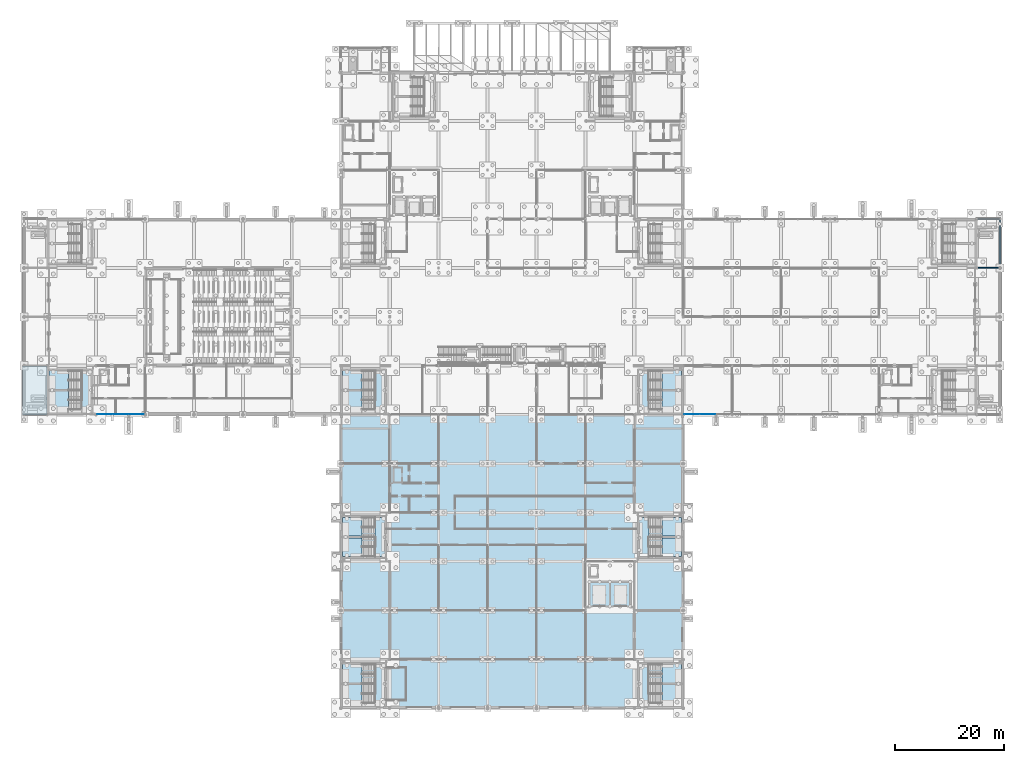
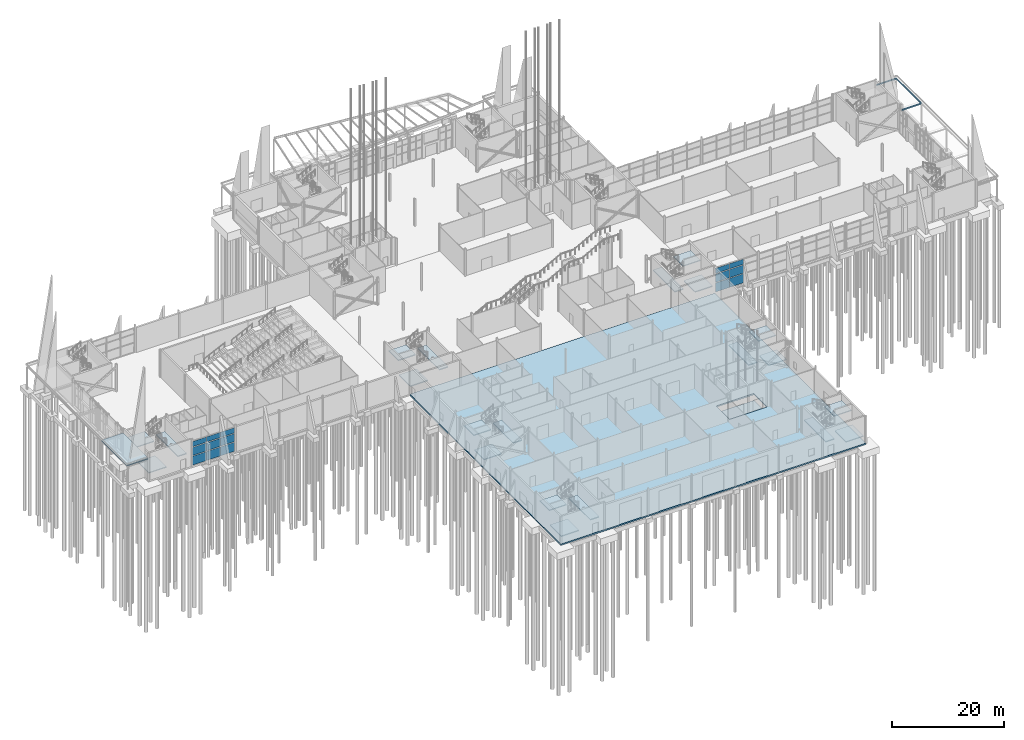
# One storey, part 90 of 139: 24 slabs, 15 plates, 3 beams, 9 elements without a shape of their own.
"""IFC4 building model written with IfcOpenShell, lengths in metres."""

from ifc_helpers import new_model, si_unit, direction, frame, origin, origin_2d, place, context, subcontext, project, spatial, polyline, rectangle, i_section, outline, extrude, material, layer, layer_set, material_profile, profile_set, type_object, element, aggregate, save


model = new_model("IFC4")

# Units and contexts
model_context = context("Model", 3, precision=1e-05, world=origin(), true_north=direction((0.0, 1.0)))
body_context = subcontext(model_context, "Body", "Model", "MODEL_VIEW")
ifc_project = project(units=[si_unit("LENGTHUNIT", "METRE"), si_unit("AREAUNIT", "SQUARE_METRE"), si_unit("VOLUMEUNIT", "CUBIC_METRE"), si_unit("PLANEANGLEUNIT", "RADIAN"), si_unit("MASSUNIT", "GRAM", prefix="KILO")], contexts=[model_context])

# Site, building, storey
site_placement = place(None, origin())
site = spatial("IfcSite", under=ifc_project, at=site_placement, CompositionType="ELEMENT")
building_placement = place(site_placement, origin())
building = spatial("IfcBuilding", under=site, at=building_placement, Name="Shorebreak Coast Museum", CompositionType="ELEMENT")
storey_placement = place(building_placement, origin())
storey = spatial("IfcBuildingStorey", under=building, at=storey_placement, Name="L00", CompositionType="ELEMENT", Elevation=0.0)

# Beams
ifc_material_1 = material(Name="Steel Grade 300", Category="steel")
ifc_material_profile_1 = material_profile(ifc_material_1, i_section(OverallWidth=0.14892578125, OverallDepth=0.298095703125, WebThickness=0.005615234375, FlangeThickness=0.008056640625, FilletRadius=0.012939453125, at=origin_2d()), Name="310UB32.0")
ifc_profile_set_1 = profile_set([ifc_material_profile_1], Name="Steel Grade 300")
beam_type_1 = type_object("IfcBeamType", Name="Arcade edge beam 310UB32.0", PredefinedType="BEAM", material=ifc_profile_set_1)
beam_placement = place(storey_placement, frame((175.25, 81.0, 4.65087890625), z_axis=(0.0, 1.0, 0.0), x_axis=(-1.0, 0.0, 0.0)))
element("IfcBeam", 1, at=beam_placement, inside=storey, type_object=beam_type_1, Name="Arcade edge beam east 4", PredefinedType="BEAM", context=body_context, shape_type="SweptSolid", body=[
    extrude(i_section(OverallWidth=0.14892578125, OverallDepth=0.298095703125, WebThickness=0.005615234375, FlangeThickness=0.008056640625, FilletRadius=0.012939453125, at=origin_2d()), origin(), (0.0, 0.0, 1.0), 9.074462890625),
])
ifc_material_2 = material(Name="Steel Grade 300", Category="steel")
ifc_material_profile_2 = material_profile(ifc_material_2, i_section(OverallWidth=0.14892578125, OverallDepth=0.298095703125, WebThickness=0.005615234375, FlangeThickness=0.008056640625, FilletRadius=0.012939453125, at=origin_2d()), Name="310UB32.0")
ifc_profile_set_2 = profile_set([ifc_material_profile_2], Name="Steel Grade 300")
beam_type_2 = type_object("IfcBeamType", Name="Arcade primary beam 310UB32.0", PredefinedType="BEAM", material=ifc_profile_set_2)
for number, where, z_axis, x_axis, name in (
    (2, (171.14990234375, 81.0, 4.65087890625), (1.0, 0.0, 0.0), (0.0, 1.0, 0.0), "Arcade primary beam east 4"),
    (3, (171.14990234375, 90.0, 4.65087890625), (1.0, 0.0, 0.0), (0.0, 1.0, 0.0), "Arcade primary beam east 5"),
):
    element("IfcBeam", number, at=place(storey_placement, frame(where, z_axis=z_axis, x_axis=x_axis)), inside=storey, type_object=beam_type_2, Name=name, PredefinedType="BEAM", context=body_context, shape_type="SweptSolid", body=[
        extrude(i_section(OverallWidth=0.14892578125, OverallDepth=0.298095703125, WebThickness=0.005615234375, FlangeThickness=0.008056640625, FilletRadius=0.012939453125, at=origin_2d()), origin(), (0.0, 0.0, 1.0), 4.025634765625),
    ])

# Slabs
ifc_material_3 = material(Name="Concrete N50 (50 MPa)", Category="concrete")
ifc_layer_1 = layer(ifc_material_3, 0.199951171875)
ifc_layer_set_1 = layer_set([ifc_layer_1], Name="Concrete N50 (50 MPa)")
slab_type_1 = type_object("IfcSlabType", Name="Arcade roof slab 200 concrete N50", PredefinedType="ROOF", material=ifc_layer_set_1)
slab_1_placement = place(storey_placement, frame((0.0, 0.0, 4.800048828125)))
element("IfcSlab", 4, at=slab_1_placement, inside=storey, type_object=slab_type_1, Name="Arcade roof slab west 1", PredefinedType="ROOF", context=body_context, shape_type="SweptSolid", body=[
    extrude(outline(polyline([(-4.5, 53.89990234375), (-4.5, 63.0), (-0.14990234375, 63.0), (-0.14990234375, 62.85009765625), (0.0, 62.85009765625), (0.0, 54.14990234375), (-0.14990234375, 54.14990234375), (-0.14990234375, 53.89990234375), (-4.5, 53.89990234375)])), origin(), (0.0, 0.0, 1.0), 0.199951171875),
])
ifc_material_4 = material(Name="Concrete N40 (40 MPa)", Category="concrete")
ifc_layer_2 = layer(ifc_material_4, 0.300048828125)
ifc_layer_set_2 = layer_set([ifc_layer_2], Name="Concrete N40 (40 MPa)")
slab_type_2 = type_object("IfcSlabType", Name="Base slab 300 concrete N40", PredefinedType="BASESLAB", material=ifc_layer_set_2)
slab_2_placement = place(storey_placement, frame((0.0, 0.0, -0.300048828125)))
element("IfcSlab", 5, at=slab_2_placement, inside=storey, type_object=slab_type_2, Name="Base slab L00 south arm", PredefinedType="BASESLAB", context=body_context, shape_type="SweptSolid", body=[
    extrude(outline(polyline([(54.0, 0.0), (117.0, 0.0), (117.0, 54.0), (54.0, 54.0), (54.0, 0.0)]), holes=[polyline([(107.39990234375, 23.39990234375), (107.39990234375, 18.60009765625), (99.60009765625, 18.60009765625), (99.60009765625, 23.39990234375), (107.39990234375, 23.39990234375)])]), origin(), (0.0, 0.0, 1.0), 0.300048828125),
])
ifc_material_5 = material(Name="Concrete N50 (50 MPa)", Category="concrete")
ifc_layer_3 = layer(ifc_material_5, 0.300048828125)
ifc_layer_set_3 = layer_set([ifc_layer_3], Name="Concrete N50 (50 MPa)")
slab_type_3 = type_object("IfcSlabType", Name="Lift pit slab 300", PredefinedType="BASESLAB", material=ifc_layer_set_3)
slab_3_placement = place(storey_placement, frame((0.0, 0.0, -1.800048828125)))
element("IfcSlab", 6, at=slab_3_placement, inside=storey, type_object=slab_type_3, Name="Lift pit slab LBG", PredefinedType="BASESLAB", context=body_context, shape_type="SweptSolid", body=[
    extrude(outline(polyline([(99.60009765625, 18.60009765625), (107.39990234375, 18.60009765625), (107.39990234375, 23.39990234375), (99.60009765625, 23.39990234375), (99.60009765625, 18.60009765625)])), origin(), (0.0, 0.0, 1.0), 0.300048828125),
])

# Stair, slabs
ifc_material_6 = material(Name="Concrete N40 (40 MPa)", Category="concrete")
stair_type = type_object("IfcStairType", Name="Stair run 6 m", PredefinedType="DOUBLE_RETURN_STAIR", material=ifc_material_6)
stair_1_placement = place(storey_placement, origin())
stair_1 = element("IfcStair", 7, at=stair_1_placement, inside=storey, type_object=stair_type, Name="Exit stair ST01-L00", PredefinedType="DOUBLE_RETURN_STAIR")
ifc_material_7 = material(Name="Concrete N40 (40 MPa)", Category="concrete")
ifc_layer_4 = layer(ifc_material_7, 0.199951171875)
ifc_layer_set_4 = layer_set([ifc_layer_4], Name="Concrete N40 (40 MPa)")
slab_type_4 = type_object("IfcSlabType", Name="Stair landing 200", PredefinedType="LANDING", material=ifc_layer_set_4)
slab_4_placement = place(storey_placement, frame((0.0, 0.0, 2.800048828125)))
slab_4 = element("IfcSlab", 8, at=slab_4_placement, type_object=slab_type_4, Name="ST01-L00 landing 1", PredefinedType="LANDING", context=body_context, shape_type="SweptSolid", body=[
    extrude(outline(polyline([(60.300048828125, 54.300048828125), (62.10009765625, 54.300048828125), (62.10009765625, 62.10009765625), (60.300048828125, 62.10009765625), (60.300048828125, 54.300048828125)])), origin(), (0.0, 0.0, 1.0), 0.199951171875),
])
slab_5_placement = place(storey_placement, frame((0.0, 0.0, 1.300048828125)))
slab_5 = element("IfcSlab", 9, at=slab_5_placement, type_object=slab_type_4, Name="ST01-L00 landing 2", PredefinedType="LANDING", context=body_context, shape_type="SweptSolid", body=[
    extrude(outline(polyline([(54.300048828125, 54.300048828125), (57.89990234375, 54.300048828125), (57.89990234375, 58.35009765625), (54.300048828125, 58.35009765625), (54.300048828125, 54.300048828125)])), origin(), (0.0, 0.0, 1.0), 0.199951171875),
])
slab_6_placement = place(storey_placement, frame((0.0, 0.0, 4.300048828125)))
slab_6 = element("IfcSlab", 10, at=slab_6_placement, type_object=slab_type_4, Name="ST01-L00 landing 3", PredefinedType="LANDING", context=body_context, shape_type="SweptSolid", body=[
    extrude(outline(polyline([(54.300048828125, 58.64990234375), (57.89990234375, 58.64990234375), (57.89990234375, 62.10009765625), (54.300048828125, 62.10009765625), (54.300048828125, 58.64990234375)])), origin(), (0.0, 0.0, 1.0), 0.199951171875),
])
aggregate(stair_1, [slab_4, slab_5, slab_6])

stair_2_placement = place(storey_placement, origin())
stair_2 = element("IfcStair", 11, at=stair_2_placement, inside=storey, type_object=stair_type, Name="Exit stair ST02-L00", PredefinedType="DOUBLE_RETURN_STAIR")
slab_7_placement = place(storey_placement, frame((0.0, 0.0, 2.800048828125)))
slab_7 = element("IfcSlab", 12, at=slab_7_placement, type_object=slab_type_4, Name="ST02-L00 landing 1", PredefinedType="LANDING", context=body_context, shape_type="SweptSolid", body=[
    extrude(outline(polyline([(108.89990234375, 54.300048828125), (110.699951171875, 54.300048828125), (110.699951171875, 62.10009765625), (108.89990234375, 62.10009765625), (108.89990234375, 54.300048828125)])), origin(), (0.0, 0.0, 1.0), 0.199951171875),
])
slab_8_placement = place(storey_placement, frame((0.0, 0.0, 1.300048828125)))
slab_8 = element("IfcSlab", 13, at=slab_8_placement, type_object=slab_type_4, Name="ST02-L00 landing 2", PredefinedType="LANDING", context=body_context, shape_type="SweptSolid", body=[
    extrude(outline(polyline([(113.10009765625, 54.300048828125), (116.699951171875, 54.300048828125), (116.699951171875, 58.35009765625), (113.10009765625, 58.35009765625), (113.10009765625, 54.300048828125)])), origin(), (0.0, 0.0, 1.0), 0.199951171875),
])
slab_9_placement = place(storey_placement, frame((0.0, 0.0, 4.300048828125)))
slab_9 = element("IfcSlab", 14, at=slab_9_placement, type_object=slab_type_4, Name="ST02-L00 landing 3", PredefinedType="LANDING", context=body_context, shape_type="SweptSolid", body=[
    extrude(outline(polyline([(113.10009765625, 58.64990234375), (116.699951171875, 58.64990234375), (116.699951171875, 62.10009765625), (113.10009765625, 62.10009765625), (113.10009765625, 58.64990234375)])), origin(), (0.0, 0.0, 1.0), 0.199951171875),
])
aggregate(stair_2, [slab_7, slab_8, slab_9])

stair_3_placement = place(storey_placement, origin())
stair_3 = element("IfcStair", 15, at=stair_3_placement, inside=storey, type_object=stair_type, Name="Exit stair ST05-L00", PredefinedType="DOUBLE_RETURN_STAIR")
slab_10_placement = place(storey_placement, frame((0.0, 0.0, 2.800048828125)))
slab_10 = element("IfcSlab", 16, at=slab_10_placement, type_object=slab_type_4, Name="ST05-L00 landing 1", PredefinedType="LANDING", context=body_context, shape_type="SweptSolid", body=[
    extrude(outline(polyline([(6.300048828125, 54.300048828125), (8.10009765625, 54.300048828125), (8.10009765625, 62.10009765625), (6.300048828125, 62.10009765625), (6.300048828125, 54.300048828125)])), origin(), (0.0, 0.0, 1.0), 0.199951171875),
])
slab_11_placement = place(storey_placement, frame((0.0, 0.0, 1.300048828125)))
slab_11 = element("IfcSlab", 17, at=slab_11_placement, type_object=slab_type_4, Name="ST05-L00 landing 2", PredefinedType="LANDING", context=body_context, shape_type="SweptSolid", body=[
    extrude(outline(polyline([(0.300048828125, 54.300048828125), (3.89990234375, 54.300048828125), (3.89990234375, 58.35009765625), (0.300048828125, 58.35009765625), (0.300048828125, 54.300048828125)])), origin(), (0.0, 0.0, 1.0), 0.199951171875),
])
slab_12_placement = place(storey_placement, frame((0.0, 0.0, 4.300048828125)))
slab_12 = element("IfcSlab", 18, at=slab_12_placement, type_object=slab_type_4, Name="ST05-L00 landing 3", PredefinedType="LANDING", context=body_context, shape_type="SweptSolid", body=[
    extrude(outline(polyline([(0.300048828125, 58.64990234375), (3.89990234375, 58.64990234375), (3.89990234375, 62.10009765625), (0.300048828125, 62.10009765625), (0.300048828125, 58.64990234375)])), origin(), (0.0, 0.0, 1.0), 0.199951171875),
])
aggregate(stair_3, [slab_10, slab_11, slab_12])

stair_4_placement = place(storey_placement, origin())
stair_4 = element("IfcStair", 19, at=stair_4_placement, inside=storey, type_object=stair_type, Name="Exit stair ST11-L00", PredefinedType="DOUBLE_RETURN_STAIR")
slab_13_placement = place(storey_placement, frame((0.0, 0.0, 2.800048828125)))
slab_13 = element("IfcSlab", 20, at=slab_13_placement, type_object=slab_type_4, Name="ST11-L00 landing 1", PredefinedType="LANDING", context=body_context, shape_type="SweptSolid", body=[
    extrude(outline(polyline([(60.300048828125, 0.300048828125), (62.10009765625, 0.300048828125), (62.10009765625, 8.10009765625), (60.300048828125, 8.10009765625), (60.300048828125, 0.300048828125)])), origin(), (0.0, 0.0, 1.0), 0.199951171875),
])
slab_14_placement = place(storey_placement, frame((0.0, 0.0, 1.300048828125)))
slab_14 = element("IfcSlab", 21, at=slab_14_placement, type_object=slab_type_4, Name="ST11-L00 landing 2", PredefinedType="LANDING", context=body_context, shape_type="SweptSolid", body=[
    extrude(outline(polyline([(54.300048828125, 0.300048828125), (57.89990234375, 0.300048828125), (57.89990234375, 4.35009765625), (54.300048828125, 4.35009765625), (54.300048828125, 0.300048828125)])), origin(), (0.0, 0.0, 1.0), 0.199951171875),
])
slab_15_placement = place(storey_placement, frame((0.0, 0.0, 4.300048828125)))
slab_15 = element("IfcSlab", 22, at=slab_15_placement, type_object=slab_type_4, Name="ST11-L00 landing 3", PredefinedType="LANDING", context=body_context, shape_type="SweptSolid", body=[
    extrude(outline(polyline([(54.300048828125, 4.64990234375), (57.89990234375, 4.64990234375), (57.89990234375, 8.10009765625), (54.300048828125, 8.10009765625), (54.300048828125, 4.64990234375)])), origin(), (0.0, 0.0, 1.0), 0.199951171875),
])
aggregate(stair_4, [slab_13, slab_14, slab_15])

stair_5_placement = place(storey_placement, origin())
stair_5 = element("IfcStair", 23, at=stair_5_placement, inside=storey, type_object=stair_type, Name="Exit stair ST12-L00", PredefinedType="DOUBLE_RETURN_STAIR")
slab_16_placement = place(storey_placement, frame((0.0, 0.0, 2.800048828125)))
slab_16 = element("IfcSlab", 24, at=slab_16_placement, type_object=slab_type_4, Name="ST12-L00 landing 1", PredefinedType="LANDING", context=body_context, shape_type="SweptSolid", body=[
    extrude(outline(polyline([(108.89990234375, 0.300048828125), (110.699951171875, 0.300048828125), (110.699951171875, 8.10009765625), (108.89990234375, 8.10009765625), (108.89990234375, 0.300048828125)])), origin(), (0.0, 0.0, 1.0), 0.199951171875),
])
slab_17_placement = place(storey_placement, frame((0.0, 0.0, 1.300048828125)))
slab_17 = element("IfcSlab", 25, at=slab_17_placement, type_object=slab_type_4, Name="ST12-L00 landing 2", PredefinedType="LANDING", context=body_context, shape_type="SweptSolid", body=[
    extrude(outline(polyline([(113.10009765625, 0.300048828125), (116.699951171875, 0.300048828125), (116.699951171875, 4.35009765625), (113.10009765625, 4.35009765625), (113.10009765625, 0.300048828125)])), origin(), (0.0, 0.0, 1.0), 0.199951171875),
])
slab_18_placement = place(storey_placement, frame((0.0, 0.0, 4.300048828125)))
slab_18 = element("IfcSlab", 26, at=slab_18_placement, type_object=slab_type_4, Name="ST12-L00 landing 3", PredefinedType="LANDING", context=body_context, shape_type="SweptSolid", body=[
    extrude(outline(polyline([(113.10009765625, 4.64990234375), (116.699951171875, 4.64990234375), (116.699951171875, 8.10009765625), (113.10009765625, 8.10009765625), (113.10009765625, 4.64990234375)])), origin(), (0.0, 0.0, 1.0), 0.199951171875),
])
aggregate(stair_5, [slab_16, slab_17, slab_18])

stair_6_placement = place(storey_placement, origin())
stair_6 = element("IfcStair", 27, at=stair_6_placement, inside=storey, type_object=stair_type, Name="Exit stair ST13-L00", PredefinedType="DOUBLE_RETURN_STAIR")
slab_19_placement = place(storey_placement, frame((0.0, 0.0, 2.800048828125)))
slab_19 = element("IfcSlab", 28, at=slab_19_placement, type_object=slab_type_4, Name="ST13-L00 landing 1", PredefinedType="LANDING", context=body_context, shape_type="SweptSolid", body=[
    extrude(outline(polyline([(60.300048828125, 27.89990234375), (62.10009765625, 27.89990234375), (62.10009765625, 35.10009765625), (60.300048828125, 35.10009765625), (60.300048828125, 27.89990234375)])), origin(), (0.0, 0.0, 1.0), 0.199951171875),
])
slab_20_placement = place(storey_placement, frame((0.0, 0.0, 1.300048828125)))
slab_20 = element("IfcSlab", 29, at=slab_20_placement, type_object=slab_type_4, Name="ST13-L00 landing 2", PredefinedType="LANDING", context=body_context, shape_type="SweptSolid", body=[
    extrude(outline(polyline([(54.300048828125, 27.89990234375), (57.89990234375, 27.89990234375), (57.89990234375, 31.35009765625), (54.300048828125, 31.35009765625), (54.300048828125, 27.89990234375)])), origin(), (0.0, 0.0, 1.0), 0.199951171875),
])
slab_21_placement = place(storey_placement, frame((0.0, 0.0, 4.300048828125)))
slab_21 = element("IfcSlab", 30, at=slab_21_placement, type_object=slab_type_4, Name="ST13-L00 landing 3", PredefinedType="LANDING", context=body_context, shape_type="SweptSolid", body=[
    extrude(outline(polyline([(54.300048828125, 31.64990234375), (57.89990234375, 31.64990234375), (57.89990234375, 35.10009765625), (54.300048828125, 35.10009765625), (54.300048828125, 31.64990234375)])), origin(), (0.0, 0.0, 1.0), 0.199951171875),
])
aggregate(stair_6, [slab_19, slab_20, slab_21])

stair_7_placement = place(storey_placement, origin())
stair_7 = element("IfcStair", 31, at=stair_7_placement, inside=storey, type_object=stair_type, Name="Exit stair ST14-L00", PredefinedType="DOUBLE_RETURN_STAIR")
slab_22_placement = place(storey_placement, frame((0.0, 0.0, 2.800048828125)))
slab_22 = element("IfcSlab", 32, at=slab_22_placement, type_object=slab_type_4, Name="ST14-L00 landing 1", PredefinedType="LANDING", context=body_context, shape_type="SweptSolid", body=[
    extrude(outline(polyline([(108.89990234375, 27.89990234375), (110.699951171875, 27.89990234375), (110.699951171875, 35.10009765625), (108.89990234375, 35.10009765625), (108.89990234375, 27.89990234375)])), origin(), (0.0, 0.0, 1.0), 0.199951171875),
])
slab_23_placement = place(storey_placement, frame((0.0, 0.0, 1.300048828125)))
slab_23 = element("IfcSlab", 33, at=slab_23_placement, type_object=slab_type_4, Name="ST14-L00 landing 2", PredefinedType="LANDING", context=body_context, shape_type="SweptSolid", body=[
    extrude(outline(polyline([(113.10009765625, 27.89990234375), (116.699951171875, 27.89990234375), (116.699951171875, 31.35009765625), (113.10009765625, 31.35009765625), (113.10009765625, 27.89990234375)])), origin(), (0.0, 0.0, 1.0), 0.199951171875),
])
slab_24_placement = place(storey_placement, frame((0.0, 0.0, 4.300048828125)))
slab_24 = element("IfcSlab", 34, at=slab_24_placement, type_object=slab_type_4, Name="ST14-L00 landing 3", PredefinedType="LANDING", context=body_context, shape_type="SweptSolid", body=[
    extrude(outline(polyline([(113.10009765625, 31.64990234375), (116.699951171875, 31.64990234375), (116.699951171875, 35.10009765625), (113.10009765625, 35.10009765625), (113.10009765625, 31.64990234375)])), origin(), (0.0, 0.0, 1.0), 0.199951171875),
])
aggregate(stair_7, [slab_22, slab_23, slab_24])

# Curtain wall, plates
ifc_material_8 = material(Name="Aluminium", Category="aluminium")
ifc_layer_5 = layer(ifc_material_8, 0.14990234375)
ifc_layer_set_5 = layer_set([ifc_layer_5], Name="Aluminium")
curtain_wall_type = type_object("IfcCurtainWallType", Name="Storefront curtain wall", PredefinedType="NOTDEFINED", material=ifc_layer_set_5)
curtain_wall_1_placement = place(storey_placement, origin())
curtain_wall_1 = element("IfcCurtainWall", 35, at=curtain_wall_1_placement, inside=storey, type_object=curtain_wall_type, Name="Storefront L00 S 7", PredefinedType="NOTDEFINED")
ifc_material_9 = material(Name="Glass", Category="glass")
ifc_layer_6 = layer(ifc_material_9, 0.031982421875)
ifc_layer_set_6 = layer_set([ifc_layer_6], Name="Glass")
plate_type = type_object("IfcPlateType", Name="Storefront glass panel 32", PredefinedType="CURTAIN_PANEL", material=ifc_layer_set_6)
plate_1_placement = place(storey_placement, frame((10.612548828125, 54.074951171875, 0.14990234375), z_axis=(0.0, 0.0, 1.0), x_axis=(1.0, 0.0, 0.0)))
plate_1 = element("IfcPlate", 36, at=plate_1_placement, type_object=plate_type, Name="CW8 panel 1.1", PredefinedType="CURTAIN_PANEL", context=body_context, shape_type="SweptSolid", body=[
    extrude(rectangle(XDim=2.824951171875, YDim=0.031982421875, at=origin_2d()), origin(), (0.0, 0.0, 1.0), 1.962890625),
])
plate_2_placement = place(storey_placement, frame((10.612548828125, 54.074951171875, 2.262939453125), z_axis=(0.0, 0.0, 1.0), x_axis=(1.0, 0.0, 0.0)))
plate_2 = element("IfcPlate", 37, at=plate_2_placement, type_object=plate_type, Name="CW8 panel 1.2", PredefinedType="CURTAIN_PANEL", context=body_context, shape_type="SweptSolid", body=[
    extrude(rectangle(XDim=2.824951171875, YDim=0.031982421875, at=origin_2d()), origin(), (0.0, 0.0, 1.0), 1.76416015625),
])
plate_3_placement = place(storey_placement, frame((10.612548828125, 54.074951171875, 4.17724609375), z_axis=(0.0, 0.0, 1.0), x_axis=(1.0, 0.0, 0.0)))
plate_3 = element("IfcPlate", 38, at=plate_3_placement, type_object=plate_type, Name="CW8 panel 1.3", PredefinedType="CURTAIN_PANEL", context=body_context, shape_type="SweptSolid", body=[
    extrude(rectangle(XDim=2.824951171875, YDim=0.031982421875, at=origin_2d()), origin(), (0.0, 0.0, 1.0), 1.142333984375),
])
plate_4_placement = place(storey_placement, frame((13.5, 54.074951171875, 0.14990234375), z_axis=(0.0, 0.0, 1.0), x_axis=(1.0, 0.0, 0.0)))
plate_4 = element("IfcPlate", 39, at=plate_4_placement, type_object=plate_type, Name="CW8 panel 2.1", PredefinedType="CURTAIN_PANEL", context=body_context, shape_type="SweptSolid", body=[
    extrude(rectangle(XDim=2.85009765625, YDim=0.031982421875, at=origin_2d()), origin(), (0.0, 0.0, 1.0), 1.962890625),
])
plate_5_placement = place(storey_placement, frame((13.5, 54.074951171875, 2.262939453125), z_axis=(0.0, 0.0, 1.0), x_axis=(1.0, 0.0, 0.0)))
plate_5 = element("IfcPlate", 40, at=plate_5_placement, type_object=plate_type, Name="CW8 panel 2.2", PredefinedType="CURTAIN_PANEL", context=body_context, shape_type="SweptSolid", body=[
    extrude(rectangle(XDim=2.85009765625, YDim=0.031982421875, at=origin_2d()), origin(), (0.0, 0.0, 1.0), 1.76416015625),
])
plate_6_placement = place(storey_placement, frame((13.5, 54.074951171875, 4.17724609375), z_axis=(0.0, 0.0, 1.0), x_axis=(1.0, 0.0, 0.0)))
plate_6 = element("IfcPlate", 41, at=plate_6_placement, type_object=plate_type, Name="CW8 panel 2.3", PredefinedType="CURTAIN_PANEL", context=body_context, shape_type="SweptSolid", body=[
    extrude(rectangle(XDim=2.85009765625, YDim=0.031982421875, at=origin_2d()), origin(), (0.0, 0.0, 1.0), 1.142333984375),
])
plate_7_placement = place(storey_placement, frame((16.387451171875, 54.074951171875, 0.14990234375), z_axis=(0.0, 0.0, 1.0), x_axis=(1.0, 0.0, 0.0)))
plate_7 = element("IfcPlate", 42, at=plate_7_placement, type_object=plate_type, Name="CW8 panel 3.1", PredefinedType="CURTAIN_PANEL", context=body_context, shape_type="SweptSolid", body=[
    extrude(rectangle(XDim=2.824951171875, YDim=0.031982421875, at=origin_2d()), origin(), (0.0, 0.0, 1.0), 1.962890625),
])
plate_8_placement = place(storey_placement, frame((16.387451171875, 54.074951171875, 2.262939453125), z_axis=(0.0, 0.0, 1.0), x_axis=(1.0, 0.0, 0.0)))
plate_8 = element("IfcPlate", 43, at=plate_8_placement, type_object=plate_type, Name="CW8 panel 3.2", PredefinedType="CURTAIN_PANEL", context=body_context, shape_type="SweptSolid", body=[
    extrude(rectangle(XDim=2.824951171875, YDim=0.031982421875, at=origin_2d()), origin(), (0.0, 0.0, 1.0), 1.76416015625),
])
plate_9_placement = place(storey_placement, frame((16.387451171875, 54.074951171875, 4.17724609375), z_axis=(0.0, 0.0, 1.0), x_axis=(1.0, 0.0, 0.0)))
plate_9 = element("IfcPlate", 44, at=plate_9_placement, type_object=plate_type, Name="CW8 panel 3.3", PredefinedType="CURTAIN_PANEL", context=body_context, shape_type="SweptSolid", body=[
    extrude(rectangle(XDim=2.824951171875, YDim=0.031982421875, at=origin_2d()), origin(), (0.0, 0.0, 1.0), 1.142333984375),
])
aggregate(curtain_wall_1, [plate_1, plate_2, plate_3, plate_4, plate_5, plate_6, plate_7, plate_8, plate_9])

curtain_wall_2_placement = place(storey_placement, origin())
curtain_wall_2 = element("IfcCurtainWall", 45, at=curtain_wall_2_placement, inside=storey, type_object=curtain_wall_type, Name="Storefront L00 S 8", PredefinedType="NOTDEFINED")
plate_10_placement = place(storey_placement, frame((118.612548828125, 54.074951171875, 0.14990234375), z_axis=(0.0, 0.0, 1.0), x_axis=(1.0, 0.0, 0.0)))
plate_10 = element("IfcPlate", 46, at=plate_10_placement, type_object=plate_type, Name="CW8 panel 1.1", PredefinedType="CURTAIN_PANEL", context=body_context, shape_type="SweptSolid", body=[
    extrude(rectangle(XDim=2.824951171875, YDim=0.031982421875, at=origin_2d()), origin(), (0.0, 0.0, 1.0), 1.962890625),
])
plate_11_placement = place(storey_placement, frame((118.612548828125, 54.074951171875, 2.262939453125), z_axis=(0.0, 0.0, 1.0), x_axis=(1.0, 0.0, 0.0)))
plate_11 = element("IfcPlate", 47, at=plate_11_placement, type_object=plate_type, Name="CW8 panel 1.2", PredefinedType="CURTAIN_PANEL", context=body_context, shape_type="SweptSolid", body=[
    extrude(rectangle(XDim=2.824951171875, YDim=0.031982421875, at=origin_2d()), origin(), (0.0, 0.0, 1.0), 1.76416015625),
])
plate_12_placement = place(storey_placement, frame((118.612548828125, 54.074951171875, 4.17724609375), z_axis=(0.0, 0.0, 1.0), x_axis=(1.0, 0.0, 0.0)))
plate_12 = element("IfcPlate", 48, at=plate_12_placement, type_object=plate_type, Name="CW8 panel 1.3", PredefinedType="CURTAIN_PANEL", context=body_context, shape_type="SweptSolid", body=[
    extrude(rectangle(XDim=2.824951171875, YDim=0.031982421875, at=origin_2d()), origin(), (0.0, 0.0, 1.0), 1.142333984375),
])
plate_13_placement = place(storey_placement, frame((121.5, 54.074951171875, 0.14990234375), z_axis=(0.0, 0.0, 1.0), x_axis=(1.0, 0.0, 0.0)))
plate_13 = element("IfcPlate", 49, at=plate_13_placement, type_object=plate_type, Name="CW8 panel 2.1", PredefinedType="CURTAIN_PANEL", context=body_context, shape_type="SweptSolid", body=[
    extrude(rectangle(XDim=2.85009765625, YDim=0.031982421875, at=origin_2d()), origin(), (0.0, 0.0, 1.0), 1.962890625),
])
plate_14_placement = place(storey_placement, frame((121.5, 54.074951171875, 2.262939453125), z_axis=(0.0, 0.0, 1.0), x_axis=(1.0, 0.0, 0.0)))
plate_14 = element("IfcPlate", 50, at=plate_14_placement, type_object=plate_type, Name="CW8 panel 2.2", PredefinedType="CURTAIN_PANEL", context=body_context, shape_type="SweptSolid", body=[
    extrude(rectangle(XDim=2.85009765625, YDim=0.031982421875, at=origin_2d()), origin(), (0.0, 0.0, 1.0), 1.76416015625),
])
plate_15_placement = place(storey_placement, frame((121.5, 54.074951171875, 4.17724609375), z_axis=(0.0, 0.0, 1.0), x_axis=(1.0, 0.0, 0.0)))
plate_15 = element("IfcPlate", 51, at=plate_15_placement, type_object=plate_type, Name="CW8 panel 2.3", PredefinedType="CURTAIN_PANEL", context=body_context, shape_type="SweptSolid", body=[
    extrude(rectangle(XDim=2.85009765625, YDim=0.031982421875, at=origin_2d()), origin(), (0.0, 0.0, 1.0), 1.142333984375),
])
aggregate(curtain_wall_2, [plate_10, plate_11, plate_12, plate_13, plate_14, plate_15])

save(model, "model.ifc")
